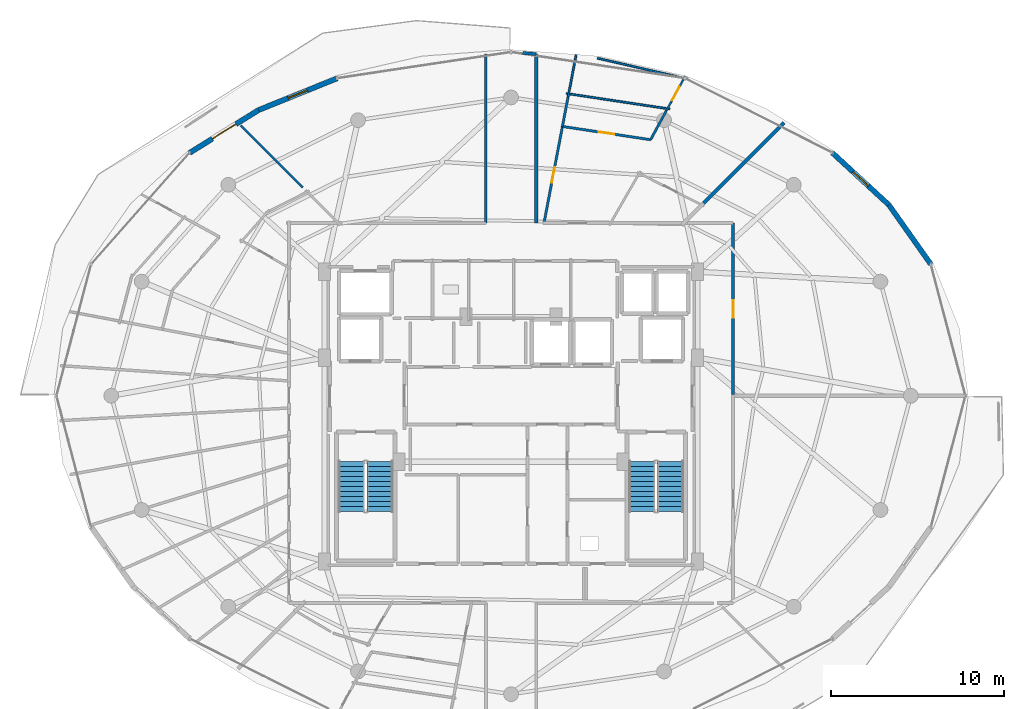
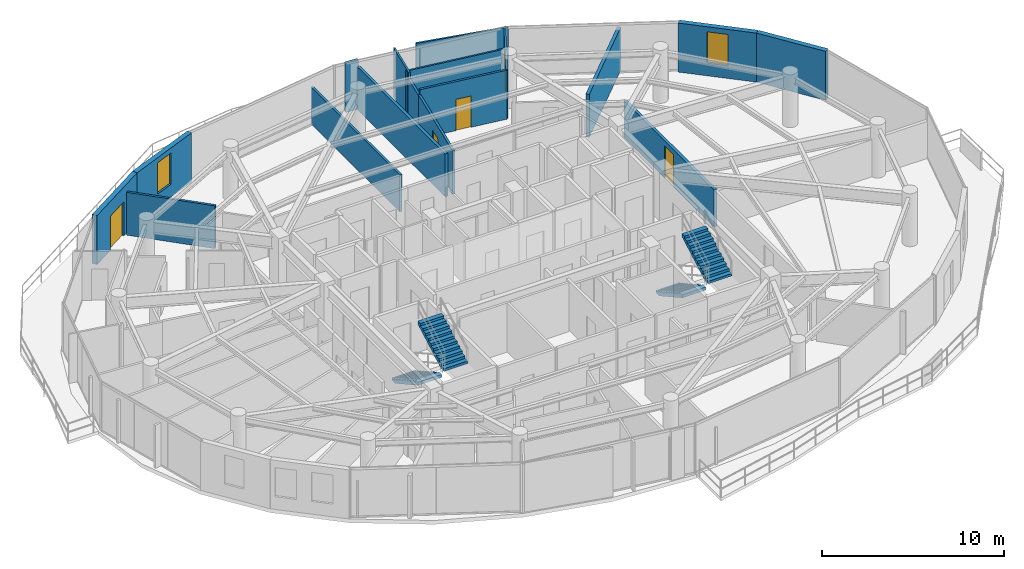
# One storey, part 25 of 29: 18 walls, 5 doors, 4 stair flights, 2 windows, 7 openings, 2 elements without a shape of their own.
"""IFC4 building model written with IfcOpenShell, lengths in metres."""

from ifc_helpers import new_model, si_unit, direction, frame, frame_2d, origin, place, context, subcontext, project, spatial, polyline, rectangle, outline, extrude, material, layer, layer_set, type_object, element, fill, aggregate, save


model = new_model("IFC4")

# Units and contexts
model_context = context("Model", 3, precision=1e-05, world=origin(), true_north=direction((0.0, 1.0)))
body_context = subcontext(model_context, "Body", "Model", "MODEL_VIEW")
ifc_project = project(units=[si_unit("LENGTHUNIT", "METRE"), si_unit("AREAUNIT", "SQUARE_METRE"), si_unit("VOLUMEUNIT", "CUBIC_METRE"), si_unit("PLANEANGLEUNIT", "RADIAN"), si_unit("MASSUNIT", "GRAM", prefix="KILO")], contexts=[model_context])

# Site, building, storey
site_placement = place(None, origin())
site = spatial("IfcSite", under=ifc_project, at=site_placement, CompositionType="ELEMENT")
building_placement = place(site_placement, origin())
building = spatial("IfcBuilding", under=site, at=building_placement, Name="Vorneva Point Tower", CompositionType="ELEMENT")
storey_placement = place(building_placement, frame((0.0, 0.0, 273.300048828125)))
storey = spatial("IfcBuildingStorey", under=building, at=storey_placement, Name="L74", CompositionType="ELEMENT", Elevation=273.300048828125)

# Wall
ifc_material_1 = material(Name="Precast concrete B50 (C40/50)", Category="concrete")
ifc_layer_1 = layer(ifc_material_1, 0.300048828125)
ifc_layer_set_1 = layer_set([ifc_layer_1], Name="Precast concrete B50 (C40/50)")
wall_type_1 = type_object("IfcWallType", Name="WL-EXT-300", PredefinedType="STANDARD", material=ifc_layer_set_1)
wall_1_placement = place(storey_placement, frame((62.20556640625, 33.5810546875, 0.0), z_axis=(0.0, 0.0, 1.0), x_axis=(-0.577261247247, 0.816559521668, 0.0)))
element("IfcWall", 1, at=wall_1_placement, inside=storey, type_object=wall_type_1, Name="L74 Pale-Metal Facade Spandrel Wall 02.1", PredefinedType="STANDARD", context=body_context, shape_type="SweptSolid", body=[
    extrude(rectangle(XDim=4.194091796875, YDim=0.300048828125, at=frame_2d((2.09716796875, 0.0))), origin(), (0.0, 0.0, 1.0), 3.2900390625),
])

# Wall, opening, window
wall_2_placement = place(storey_placement, frame((59.784423828125, 37.005859375, 0.0), z_axis=(0.0, 0.0, 1.0), x_axis=(-0.735445373611, 0.677584018727, 0.0)))
wall_2 = element("IfcWall", 2, at=wall_2_placement, inside=storey, type_object=wall_type_1, Name="L74 Pale-Metal Facade Spandrel Wall 02.2", PredefinedType="STANDARD", context=body_context, shape_type="SweptSolid", body=[
    extrude(rectangle(XDim=4.430419921875, YDim=0.300048828125, at=frame_2d((2.21533203125, 0.0))), origin(), (0.0, 0.0, 1.0), 3.2900390625),
])
opening_1_placement = place(wall_2_placement, frame((1.615234375, 0.0, 0.85009765625)))
opening_1 = element("IfcOpeningElement", 3, at=opening_1_placement, cuts=wall_2, Name="Opening W-04", PredefinedType="OPENING", context=body_context, shape_type="SweptSolid", body=[
    extrude(rectangle(XDim=1.199951171875, YDim=2.10009765625, at=frame_2d((0.60009765625, 1.050048828125))), frame((0.0, 0.1650390625, 0.0), z_axis=(0.0, -1.0, 0.0), x_axis=(1.0, 0.0, 0.0)), (0.0, 0.0, 1.0), 0.329833984375),
])
ifc_material_2 = material(Name="Double low-e laminated glass IGU", Category="glass")
window_type = type_object("IfcWindowType", Name="WN-RES-1200", PartitioningType="SINGLE_PANEL", PredefinedType="WINDOW", material=ifc_material_2)
window_1_placement = place(opening_1_placement, origin())
window_1 = element("IfcWindow", 4, at=window_1_placement, inside=storey, type_object=window_type, Name="L74 Facade Window 02", OverallHeight=2.10009765625, OverallWidth=1.199951171875, PartitioningType="SINGLE_PANEL", PredefinedType="WINDOW", context=body_context, shape_type="SweptSolid", body=[
    extrude(rectangle(XDim=1.199951171875, YDim=2.10009765625, at=frame_2d((0.60009765625, 1.050048828125))), frame((0.0, 0.030029296875, 0.0), z_axis=(0.0, -1.0, 0.0), x_axis=(1.0, 0.0, 0.0)), (0.0, 0.0, 1.0), 0.06005859375),
])
fill(opening_1, window_1)

wall_3_placement = place(storey_placement, frame((27.9736328125, 44.302001953125, 0.0), z_axis=(0.0, 0.0, 1.0), x_axis=(-0.927147375511, -0.374696869594, 0.0)))
wall_3 = element("IfcWall", 5, at=wall_3_placement, inside=storey, type_object=wall_type_1, Name="L74 Pale-Metal Facade Spandrel Wall 06.1", PredefinedType="STANDARD", context=body_context, shape_type="SweptSolid", body=[
    extrude(rectangle(XDim=4.885498046875, YDim=0.300048828125, at=frame_2d((2.44287109375, 0.0))), origin(), (0.0, 0.0, 1.0), 3.2900390625),
])
opening_2_placement = place(wall_3_placement, frame((1.8427734375, 0.0, 0.85009765625)))
opening_2 = element("IfcOpeningElement", 6, at=opening_2_placement, cuts=wall_3, Name="Opening W-04", PredefinedType="OPENING", context=body_context, shape_type="SweptSolid", body=[
    extrude(rectangle(XDim=1.199951171875, YDim=2.10009765625, at=frame_2d((0.60009765625, 1.050048828125))), frame((0.0, 0.1650390625, 0.0), z_axis=(0.0, -1.0, 0.0), x_axis=(1.0, 0.0, 0.0)), (0.0, 0.0, 1.0), 0.329833984375),
])
window_2_placement = place(opening_2_placement, origin())
window_2 = element("IfcWindow", 7, at=window_2_placement, inside=storey, type_object=window_type, Name="L74 Facade Window 06", OverallHeight=2.10009765625, OverallWidth=1.199951171875, PartitioningType="SINGLE_PANEL", PredefinedType="WINDOW", context=body_context, shape_type="SweptSolid", body=[
    extrude(rectangle(XDim=1.199951171875, YDim=2.10009765625, at=frame_2d((0.60009765625, 1.050048828125))), frame((0.0, 0.030029296875, 0.0), z_axis=(0.0, -1.0, 0.0), x_axis=(1.0, 0.0, 0.0)), (0.0, 0.0, 1.0), 0.06005859375),
])
fill(opening_2, window_2)

# Wall, opening, door
wall_4_placement = place(storey_placement, frame((23.444091796875, 42.471435546875, 0.0), z_axis=(0.0, 0.0, 1.0), x_axis=(-0.849702323036, -0.527262707032, 0.0)))
wall_4 = element("IfcWall", 8, at=wall_4_placement, inside=storey, type_object=wall_type_1, Name="L74 Pale-Metal Facade Spandrel Wall 06.2", PredefinedType="STANDARD", context=body_context, shape_type="SweptSolid", body=[
    extrude(rectangle(XDim=4.67236328125, YDim=0.300048828125, at=frame_2d((2.336181640625, 0.0))), origin(), (0.0, 0.0, 1.0), 3.2900390625),
])
opening_3_placement = place(wall_4_placement, frame((1.536376953125, 0.0, 0.0)))
opening_3 = element("IfcOpeningElement", 9, at=opening_3_placement, cuts=wall_4, Name="Opening BD-01", PredefinedType="OPENING", context=body_context, shape_type="SweptSolid", body=[
    extrude(rectangle(XDim=1.60009765625, YDim=2.300048828125, at=frame_2d((0.800048828125, 1.14990234375))), frame((0.0, 0.1650390625, 0.0), z_axis=(0.0, -1.0, 0.0), x_axis=(1.0, 0.0, 0.0)), (0.0, 0.0, 1.0), 0.329833984375),
])
ifc_material_3 = material(Name="Pale anodised aluminium", Category="aluminium")
door_type_1 = type_object("IfcDoorType", Name="DR-BAL-1600", OperationType="SLIDING_TO_LEFT", PredefinedType="DOOR", material=ifc_material_3)
door_1_placement = place(opening_3_placement, origin())
door_1 = element("IfcDoor", 10, at=door_1_placement, inside=storey, type_object=door_type_1, Name="L74 Balcony Terrace Access Door 06", OperationType="SLIDING_TO_LEFT", OverallHeight=2.300048828125, OverallWidth=1.60009765625, PredefinedType="DOOR", context=body_context, shape_type="SweptSolid", body=[
    extrude(rectangle(XDim=1.60009765625, YDim=2.300048828125, at=frame_2d((0.800048828125, 1.14990234375))), frame((0.0, 0.02490234375, 0.0), z_axis=(0.0, -1.0, 0.0), x_axis=(1.0, 0.0, 0.0)), (0.0, 0.0, 1.0), 0.050048828125),
])
fill(opening_3, door_1)

# Walls
ifc_material_4 = material(Name="Fire-rated acoustic gypsum stud partition", Category="gypsum")
ifc_layer_2 = layer(ifc_material_4, 0.110107421875)
ifc_layer_set_2 = layer_set([ifc_layer_2], Name="Fire-rated acoustic gypsum stud partition")
wall_type_2 = type_object("IfcWallType", Name="WL-PART-110", PredefinedType="PARTITIONING", material=ifc_layer_set_2)
wall_5_placement = place(storey_placement, frame((41.28369140625, 43.21142578125, 0.0), z_axis=(0.0, 0.0, 1.0), x_axis=(0.187233159216, 0.982315501298, 0.0)))
element("IfcWall", 11, at=wall_5_placement, inside=storey, type_object=wall_type_2, Name="L74 Interior Partition 065", PredefinedType="PARTITIONING", context=body_context, shape_type="SweptSolid", body=[
    extrude(rectangle(XDim=2.502197265625, YDim=0.110107421875, at=frame_2d((1.2509765625, 0.0))), origin(), (0.0, 0.0, 1.0), 3.2900390625),
])
wall_6_placement = place(storey_placement, frame((48.17138671875, 44.2666015625, 0.0), z_axis=(0.0, 0.0, 1.0), x_axis=(-0.974586324437, 0.224012268015, 0.0)))
element("IfcWall", 12, at=wall_6_placement, inside=storey, type_object=wall_type_2, Name="L74 Interior Partition 066", PredefinedType="PARTITIONING", context=body_context, shape_type="SweptSolid", body=[
    extrude(rectangle(XDim=5.324951171875, YDim=0.110107421875, at=frame_2d((2.66259765625, 0.0))), origin(), (0.0, 0.0, 1.0), 3.2900390625),
])

# Wall, opening, door
wall_7_placement = place(storey_placement, frame((48.0439453125, 44.433837890625, 0.0), z_axis=(0.0, 0.0, 1.0), x_axis=(-0.478485169604, -0.878095634011, 0.0)))
wall_7 = element("IfcWall", 13, at=wall_7_placement, inside=storey, type_object=wall_type_2, Name="L74 Interior Partition 067", PredefinedType="PARTITIONING", context=body_context, shape_type="SweptSolid", body=[
    extrude(rectangle(XDim=2.284423828125, YDim=0.110107421875, at=frame_2d((1.14208984375, 0.0))), origin(), (0.0, 0.0, 1.0), 3.2900390625),
])
opening_4_placement = place(wall_7_placement, frame((0.692138671875, 0.0, 0.0)))
opening_4 = element("IfcOpeningElement", 14, at=opening_4_placement, cuts=wall_7, Name="Opening ID-01", PredefinedType="OPENING", context=body_context, shape_type="SweptSolid", body=[
    extrude(rectangle(XDim=0.89990234375, YDim=2.10009765625, at=frame_2d((0.449951171875, 1.050048828125))), frame((0.0, 0.06982421875, 0.0), z_axis=(0.0, -1.0, 0.0), x_axis=(1.0, 0.0, 0.0)), (0.0, 0.0, 1.0), 0.139892578125),
])
ifc_material_5 = material(Name="Engineered oak fire-rated door leaf", Category="wood")
door_type_2 = type_object("IfcDoorType", Name="DR-ROOM-900", OperationType="NOTDEFINED", PredefinedType="DOOR", material=ifc_material_5)
door_2_placement = place(opening_4_placement, origin())
door_2 = element("IfcDoor", 15, at=door_2_placement, inside=storey, type_object=door_type_2, Name="L74 Door Living and Dining Room L74-01 / Kitchen L74-01", OperationType="SINGLE_SWING_LEFT", OverallHeight=2.10009765625, OverallWidth=0.89990234375, PredefinedType="DOOR", context=body_context, shape_type="SweptSolid", body=[
    extrude(rectangle(XDim=0.89990234375, YDim=2.10009765625, at=frame_2d((0.449951171875, 1.050048828125))), frame((0.0, 0.02490234375, 0.0), z_axis=(0.0, -1.0, 0.0), x_axis=(1.0, 0.0, 0.0)), (0.0, 0.0, 1.0), 0.050048828125),
])
fill(opening_4, door_2)

# Wall
wall_8_placement = place(storey_placement, frame((41.1826171875, 43.4287109375, 0.0), z_axis=(0.0, 0.0, 1.0), x_axis=(0.988879067965, -0.148721850918, 0.0)))
element("IfcWall", 16, at=wall_8_placement, inside=storey, type_object=wall_type_2, Name="L74 Interior Partition 074", PredefinedType="PARTITIONING", context=body_context, shape_type="SweptSolid", body=[
    extrude(rectangle(XDim=6.041015625, YDim=0.110107421875, at=frame_2d((3.0205078125, 0.0))), origin(), (0.0, 0.0, 1.0), 3.2900390625),
])

# Wall, opening, door
ifc_layer_3 = layer(ifc_material_4, 0.139892578125)
ifc_layer_set_3 = layer_set([ifc_layer_3], Name="Fire-rated acoustic gypsum stud partition")
wall_type_3 = type_object("IfcWallType", Name="WL-PART-140", PredefinedType="PARTITIONING", material=ifc_layer_set_3)
wall_9_placement = place(storey_placement, frame((46.04296875, 40.761962890625, 0.0), z_axis=(0.0, 0.0, 1.0), x_axis=(-0.988886109078, 0.148675025721, 0.0)))
wall_9 = element("IfcWall", 17, at=wall_9_placement, inside=storey, type_object=wall_type_3, Name="L74 Interior Partition 068", PredefinedType="PARTITIONING", context=body_context, shape_type="SweptSolid", body=[
    extrude(rectangle(XDim=5.13818359375, YDim=0.139892578125, at=frame_2d((2.569091796875, 0.0))), origin(), (0.0, 0.0, 1.0), 3.2900390625),
])
opening_5_placement = place(wall_9_placement, frame((2.119140625, 0.0, 0.0)))
opening_5 = element("IfcOpeningElement", 18, at=opening_5_placement, cuts=wall_9, Name="Opening ID-01", PredefinedType="OPENING", context=body_context, shape_type="SweptSolid", body=[
    extrude(rectangle(XDim=0.89990234375, YDim=2.10009765625, at=frame_2d((0.449951171875, 1.050048828125))), frame((0.0, 0.0849609375, 0.0), z_axis=(0.0, -1.0, 0.0), x_axis=(1.0, 0.0, 0.0)), (0.0, 0.0, 1.0), 0.169677734375),
])
door_3_placement = place(opening_5_placement, origin())
door_3 = element("IfcDoor", 19, at=door_3_placement, inside=storey, type_object=door_type_2, Name="L74 Door Living and Dining Room L74-01 / Study Room L74-01", OperationType="SINGLE_SWING_RIGHT", OverallHeight=2.10009765625, OverallWidth=0.89990234375, PredefinedType="DOOR", context=body_context, shape_type="SweptSolid", body=[
    extrude(rectangle(XDim=0.89990234375, YDim=2.10009765625, at=frame_2d((0.449951171875, 1.050048828125))), frame((0.0, 0.02490234375, 0.0), z_axis=(0.0, -1.0, 0.0), x_axis=(1.0, 0.0, 0.0)), (0.0, 0.0, 1.0), 0.050048828125),
])
fill(opening_5, door_3)

# Walls
wall_10_placement = place(storey_placement, frame((40.9619140625, 41.52587890625, 0.0), z_axis=(0.0, 0.0, 1.0), x_axis=(0.187353972187, 0.982292466176, 0.0)))
element("IfcWall", 20, at=wall_10_placement, inside=storey, type_object=wall_type_3, Name="L74 Interior Partition 069", PredefinedType="PARTITIONING", context=body_context, shape_type="SweptSolid", body=[
    extrude(rectangle(XDim=1.716064453125, YDim=0.139892578125, at=frame_2d((0.85791015625, 0.0))), origin(), (0.0, 0.0, 1.0), 2.8740234375),
])
wall_11_placement = place(storey_placement, frame((46.950927734375, 42.427978515625, 0.0), z_axis=(0.0, 0.0, 1.0), x_axis=(-0.478536562944, -0.878067627194, 0.0)))
element("IfcWall", 21, at=wall_11_placement, inside=storey, type_object=wall_type_3, Name="L74 Interior Partition 070", PredefinedType="PARTITIONING", context=body_context, shape_type="SweptSolid", body=[
    extrude(rectangle(XDim=1.8974609375, YDim=0.139892578125, at=frame_2d((0.94873046875, 0.0))), origin(), (0.0, 0.0, 1.0), 3.2900390625),
])

# Wall, opening, door
wall_12_placement = place(storey_placement, frame((40.9619140625, 41.52587890625, 0.0), z_axis=(0.0, 0.0, 1.0), x_axis=(-0.18743226397, -0.982277530244, 0.0)))
wall_12 = element("IfcWall", 22, at=wall_12_placement, inside=storey, type_object=wall_type_3, Name="L74 Interior Partition 071", PredefinedType="PARTITIONING", context=body_context, shape_type="SweptSolid", body=[
    extrude(rectangle(XDim=5.676513671875, YDim=0.139892578125, at=frame_2d((2.83837890625, 0.0))), origin(), (0.0, 0.0, 1.0), 2.924072265625),
])
opening_6_placement = place(wall_12_placement, frame((2.38818359375, 0.0, 0.0)))
opening_6 = element("IfcOpeningElement", 23, at=opening_6_placement, cuts=wall_12, Name="Opening ID-01", PredefinedType="OPENING", context=body_context, shape_type="SweptSolid", body=[
    extrude(rectangle(XDim=0.89990234375, YDim=2.10009765625, at=frame_2d((0.449951171875, 1.050048828125))), frame((0.0, 0.0849609375, 0.0), z_axis=(0.0, -1.0, 0.0), x_axis=(1.0, 0.0, 0.0)), (0.0, 0.0, 1.0), 0.169677734375),
])
door_4_placement = place(opening_6_placement, origin())
door_4 = element("IfcDoor", 24, at=door_4_placement, inside=storey, type_object=door_type_2, Name="L74 Door Living and Dining Room L74-01 / Master Bedroom L74-01.1", OperationType="SINGLE_SWING_LEFT", OverallHeight=2.10009765625, OverallWidth=0.89990234375, PredefinedType="DOOR", context=body_context, shape_type="SweptSolid", body=[
    extrude(rectangle(XDim=0.89990234375, YDim=2.10009765625, at=frame_2d((0.449951171875, 1.050048828125))), frame((0.0, 0.02490234375, 0.0), z_axis=(0.0, -1.0, 0.0), x_axis=(1.0, 0.0, 0.0)), (0.0, 0.0, 1.0), 0.050048828125),
])
fill(opening_6, door_4)

# Walls
wall_13_placement = place(storey_placement, frame((36.550048828125, 45.700927734375, 0.0), z_axis=(0.0, 0.0, 1.0), x_axis=(0.0, -1.0, 0.0)))
element("IfcWall", 25, at=wall_13_placement, inside=storey, type_object=wall_type_3, Name="L74 Interior Closure Partition 118", PredefinedType="PARTITIONING", context=body_context, shape_type="SweptSolid", body=[
    extrude(rectangle(XDim=9.7509765625, YDim=0.139892578125, at=frame_2d((4.87548828125, 0.0))), origin(), (0.0, 0.0, 1.0), 2.48193359375),
])
wall_14_placement = place(storey_placement, frame((25.988037109375, 38.011962890625, 0.0), z_axis=(0.0, 0.0, 1.0), x_axis=(-0.707106781187, 0.707106781187, 0.0)))
element("IfcWall", 26, at=wall_14_placement, inside=storey, type_object=wall_type_3, Name="L74 Interior Closure Partition 133", PredefinedType="PARTITIONING", context=body_context, shape_type="SweptSolid", body=[
    extrude(rectangle(XDim=5.04296875, YDim=0.139892578125, at=frame_2d((2.521484375, 0.0))), origin(), (0.0, 0.0, 1.0), 2.8740234375),
])
ifc_material_6 = material(Name="Autoclaved aerated concrete blockwork", Category="masonry")
ifc_layer_4 = layer(ifc_material_6, 0.179931640625)
ifc_layer_set_4 = layer_set([ifc_layer_4], Name="Autoclaved aerated concrete blockwork")
wall_type_4 = type_object("IfcWallType", Name="WL-PART-180", PredefinedType="PARTITIONING", material=ifc_layer_set_4)
wall_15_placement = place(storey_placement, frame((39.449951171875, 45.700927734375, 0.0), z_axis=(0.0, 0.0, 1.0), x_axis=(-0.997136622012, 0.0756211415, 0.0)))
element("IfcWall", 27, at=wall_15_placement, inside=storey, type_object=wall_type_4, Name="L74 Interior Partition 040", PredefinedType="PARTITIONING", context=body_context, shape_type="SweptSolid", body=[
    extrude(rectangle(XDim=0.78125, YDim=0.179931640625, at=frame_2d((0.390625, 0.0))), origin(), (0.0, 0.0, 1.0), 3.2900390625),
])
wall_16_placement = place(storey_placement, frame((39.449951171875, 35.949951171875, 0.0), z_axis=(0.0, 0.0, 1.0), x_axis=(0.0, 1.0, 0.0)))
element("IfcWall", 28, at=wall_16_placement, inside=storey, type_object=wall_type_4, Name="L74 Interior Partition 041", PredefinedType="PARTITIONING", context=body_context, shape_type="SweptSolid", body=[
    extrude(rectangle(XDim=9.7509765625, YDim=0.179931640625, at=frame_2d((4.87548828125, 0.0))), origin(), (0.0, 0.0, 1.0), 2.8740234375),
])

# Wall, opening, door
wall_17_placement = place(storey_placement, frame((50.800048828125, 26.06005859375, 0.0), z_axis=(0.0, 0.0, 1.0), x_axis=(0.0, 1.0, 0.0)))
wall_17 = element("IfcWall", 29, at=wall_17_placement, inside=storey, type_object=wall_type_4, Name="L74 Interior Partition 061", PredefinedType="PARTITIONING", context=body_context, shape_type="SweptSolid", body=[
    extrude(rectangle(XDim=9.889892578125, YDim=0.179931640625, at=frame_2d((4.94482421875, 0.0))), origin(), (0.0, 0.0, 1.0), 2.48193359375),
])
opening_7_placement = place(wall_17_placement, frame((4.445068359375, 0.0, 0.0)))
opening_7 = element("IfcOpeningElement", 30, at=opening_7_placement, cuts=wall_17, Name="Opening UD-01", PredefinedType="OPENING", context=body_context, shape_type="SweptSolid", body=[
    extrude(rectangle(XDim=1.0, YDim=2.14990234375, at=frame_2d((0.5, 1.074951171875))), frame((0.0, 0.10498046875, 0.0), z_axis=(0.0, -1.0, 0.0), x_axis=(1.0, 0.0, 0.0)), (0.0, 0.0, 1.0), 0.209716796875),
])
door_type_3 = type_object("IfcDoorType", Name="DR-UNIT-1000", OperationType="NOTDEFINED", PredefinedType="DOOR", material=ifc_material_5)
door_5_placement = place(opening_7_placement, origin())
door_5 = element("IfcDoor", 31, at=door_5_placement, inside=storey, type_object=door_type_3, Name="L74 Door L74 Circulation Corridor / Residents Sky Lounge L74-05", OperationType="SINGLE_SWING_LEFT", OverallHeight=2.14990234375, OverallWidth=1.0, PredefinedType="DOOR", context=body_context, shape_type="SweptSolid", body=[
    extrude(rectangle(XDim=1.0, YDim=2.14990234375, at=frame_2d((0.5, 1.074951171875))), frame((0.0, 0.02490234375, 0.0), z_axis=(0.0, -1.0, 0.0), x_axis=(1.0, 0.0, 0.0)), (0.0, 0.0, 1.0), 0.050048828125),
])
fill(opening_7, door_5)

# Wall
ifc_layer_5 = layer(ifc_material_6, 0.199951171875)
ifc_layer_set_5 = layer_set([ifc_layer_5], Name="Autoclaved aerated concrete blockwork")
wall_type_5 = type_object("IfcWallType", Name="WL-PART-200", PredefinedType="PARTITIONING", material=ifc_layer_set_5)
wall_18_placement = place(storey_placement, frame((48.9990234375, 36.9990234375, 0.0), z_axis=(0.0, 0.0, 1.0), x_axis=(0.707106781187, 0.707106781187, 0.0)))
element("IfcWall", 32, at=wall_18_placement, inside=storey, type_object=wall_type_5, Name="L74 Interior Partition 072", PredefinedType="PARTITIONING", context=body_context, shape_type="SweptSolid", body=[
    extrude(rectangle(XDim=6.70068359375, YDim=0.199951171875, at=frame_2d((3.350341796875, 0.0))), origin(), (0.0, 0.0, 1.0), 2.8740234375),
])

# Stair, stair flights
ifc_material_7 = material(Name="Concrete B50 (C40/50)", Category="concrete")
stair_type = type_object("IfcStairType", Name="ST-DOG-1500", PredefinedType="HALF_TURN_STAIR", material=ifc_material_7)
stair_1_placement = place(storey_placement, origin())
stair_1 = element("IfcStair", 33, at=stair_1_placement, inside=storey, type_object=stair_type, Name="L74 ST1", PredefinedType="HALF_TURN_STAIR")
stair_flight_type = type_object("IfcStairFlightType", Name="STF-1500", PredefinedType="STRAIGHT", material=ifc_material_7)
stair_flight_1_placement = place(storey_placement, frame((28.800048828125, 22.219970703125, 0.0), z_axis=(0.0, 0.0, 1.0), x_axis=(0.0, -1.0, 0.0)))
stair_flight_1 = element("IfcStairFlight", 34, at=stair_flight_1_placement, type_object=stair_flight_type, Name="ST1 flight 1", NumberOfRisers=11, NumberOfTreads=10, PredefinedType="STRAIGHT", RiserHeight=0.161363636, TreadLength=0.29, context=body_context, shape_type="SweptSolid", body=[
    extrude(outline(polyline([(0.0, 0.0), (0.0, 0.161376953125), (0.2900390625, 0.161376953125), (0.2900390625, 0.32275390625), (0.580078125, 0.32275390625), (0.580078125, 0.484130859375), (0.8701171875, 0.484130859375), (0.8701171875, 0.6455078125), (1.159912109375, 0.6455078125), (1.159912109375, 0.806884765625), (1.449951171875, 0.806884765625), (1.449951171875, 0.96826171875), (1.739990234375, 0.96826171875), (1.739990234375, 1.129638671875), (2.030029296875, 1.129638671875), (2.030029296875, 1.291015625), (2.320068359375, 1.291015625), (2.320068359375, 1.452392578125), (2.610107421875, 1.452392578125), (2.610107421875, 1.613525390625), (2.89990234375, 1.613525390625), (2.89990234375, 1.77490234375), (2.89990234375, 1.40771484375), (0.3701171875, 0.0), (0.0, 0.0)])), frame((0.0, 0.75, 0.0), z_axis=(0.0, -1.0, 0.0), x_axis=(1.0, 0.0, 0.0)), (0.0, 0.0, 1.0), 1.5),
])
stair_flight_2_placement = place(storey_placement, frame((30.449951171875, 19.320068359375, 1.77490234375), z_axis=(0.0, 0.0, 1.0), x_axis=(0.0, 1.0, 0.0)))
stair_flight_2 = element("IfcStairFlight", 35, at=stair_flight_2_placement, type_object=stair_flight_type, Name="ST1 flight 2", NumberOfRisers=11, NumberOfTreads=10, PredefinedType="STRAIGHT", RiserHeight=0.161363636, TreadLength=0.29, context=body_context, shape_type="SweptSolid", body=[
    extrude(outline(polyline([(0.0, 0.0), (0.0, 0.161376953125), (0.2900390625, 0.161376953125), (0.2900390625, 0.32275390625), (0.580078125, 0.32275390625), (0.580078125, 0.484130859375), (0.8701171875, 0.484130859375), (0.8701171875, 0.6455078125), (1.159912109375, 0.6455078125), (1.159912109375, 0.806884765625), (1.449951171875, 0.806884765625), (1.449951171875, 0.96826171875), (1.739990234375, 0.96826171875), (1.739990234375, 1.129638671875), (2.030029296875, 1.129638671875), (2.030029296875, 1.291015625), (2.320068359375, 1.291015625), (2.320068359375, 1.452392578125), (2.610107421875, 1.452392578125), (2.610107421875, 1.613525390625), (2.89990234375, 1.613525390625), (2.89990234375, 1.77490234375), (2.89990234375, 1.40771484375), (0.3701171875, 0.0), (0.0, 0.0)])), frame((0.0, 0.75, 0.0), z_axis=(0.0, -1.0, 0.0), x_axis=(1.0, 0.0, 0.0)), (0.0, 0.0, 1.0), 1.5),
])
aggregate(stair_1, [stair_flight_1, stair_flight_2])

stair_2_placement = place(storey_placement, origin())
stair_2 = element("IfcStair", 36, at=stair_2_placement, inside=storey, type_object=stair_type, Name="L74 ST2", PredefinedType="HALF_TURN_STAIR")
stair_flight_3_placement = place(storey_placement, frame((45.550048828125, 22.219970703125, 0.0), z_axis=(0.0, 0.0, 1.0), x_axis=(0.0, -1.0, 0.0)))
stair_flight_3 = element("IfcStairFlight", 37, at=stair_flight_3_placement, type_object=stair_flight_type, Name="ST2 flight 1", NumberOfRisers=11, NumberOfTreads=10, PredefinedType="STRAIGHT", RiserHeight=0.161363636, TreadLength=0.29, context=body_context, shape_type="SweptSolid", body=[
    extrude(outline(polyline([(0.0, 0.0), (0.0, 0.161376953125), (0.2900390625, 0.161376953125), (0.2900390625, 0.32275390625), (0.580078125, 0.32275390625), (0.580078125, 0.484130859375), (0.8701171875, 0.484130859375), (0.8701171875, 0.6455078125), (1.159912109375, 0.6455078125), (1.159912109375, 0.806884765625), (1.449951171875, 0.806884765625), (1.449951171875, 0.96826171875), (1.739990234375, 0.96826171875), (1.739990234375, 1.129638671875), (2.030029296875, 1.129638671875), (2.030029296875, 1.291015625), (2.320068359375, 1.291015625), (2.320068359375, 1.452392578125), (2.610107421875, 1.452392578125), (2.610107421875, 1.613525390625), (2.89990234375, 1.613525390625), (2.89990234375, 1.77490234375), (2.89990234375, 1.40771484375), (0.3701171875, 0.0), (0.0, 0.0)])), frame((0.0, 0.75, 0.0), z_axis=(0.0, -1.0, 0.0), x_axis=(1.0, 0.0, 0.0)), (0.0, 0.0, 1.0), 1.5),
])
stair_flight_4_placement = place(storey_placement, frame((47.199951171875, 19.320068359375, 1.77490234375), z_axis=(0.0, 0.0, 1.0), x_axis=(0.0, 1.0, 0.0)))
stair_flight_4 = element("IfcStairFlight", 38, at=stair_flight_4_placement, type_object=stair_flight_type, Name="ST2 flight 2", NumberOfRisers=11, NumberOfTreads=10, PredefinedType="STRAIGHT", RiserHeight=0.161363636, TreadLength=0.29, context=body_context, shape_type="SweptSolid", body=[
    extrude(outline(polyline([(0.0, 0.0), (0.0, 0.161376953125), (0.2900390625, 0.161376953125), (0.2900390625, 0.32275390625), (0.580078125, 0.32275390625), (0.580078125, 0.484130859375), (0.8701171875, 0.484130859375), (0.8701171875, 0.6455078125), (1.159912109375, 0.6455078125), (1.159912109375, 0.806884765625), (1.449951171875, 0.806884765625), (1.449951171875, 0.96826171875), (1.739990234375, 0.96826171875), (1.739990234375, 1.129638671875), (2.030029296875, 1.129638671875), (2.030029296875, 1.291015625), (2.320068359375, 1.291015625), (2.320068359375, 1.452392578125), (2.610107421875, 1.452392578125), (2.610107421875, 1.613525390625), (2.89990234375, 1.613525390625), (2.89990234375, 1.77490234375), (2.89990234375, 1.40771484375), (0.3701171875, 0.0), (0.0, 0.0)])), frame((0.0, 0.75, 0.0), z_axis=(0.0, -1.0, 0.0), x_axis=(1.0, 0.0, 0.0)), (0.0, 0.0, 1.0), 1.5),
])
aggregate(stair_2, [stair_flight_3, stair_flight_4])

save(model, "model.ifc")
